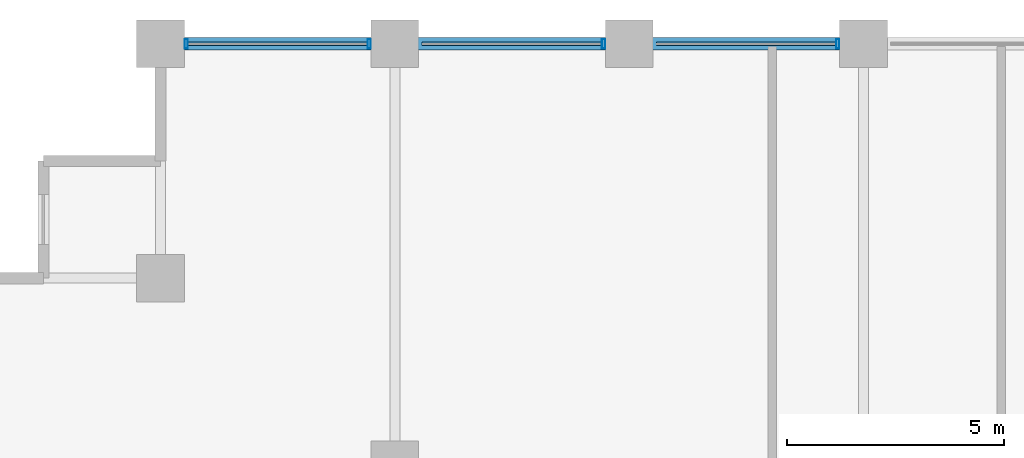
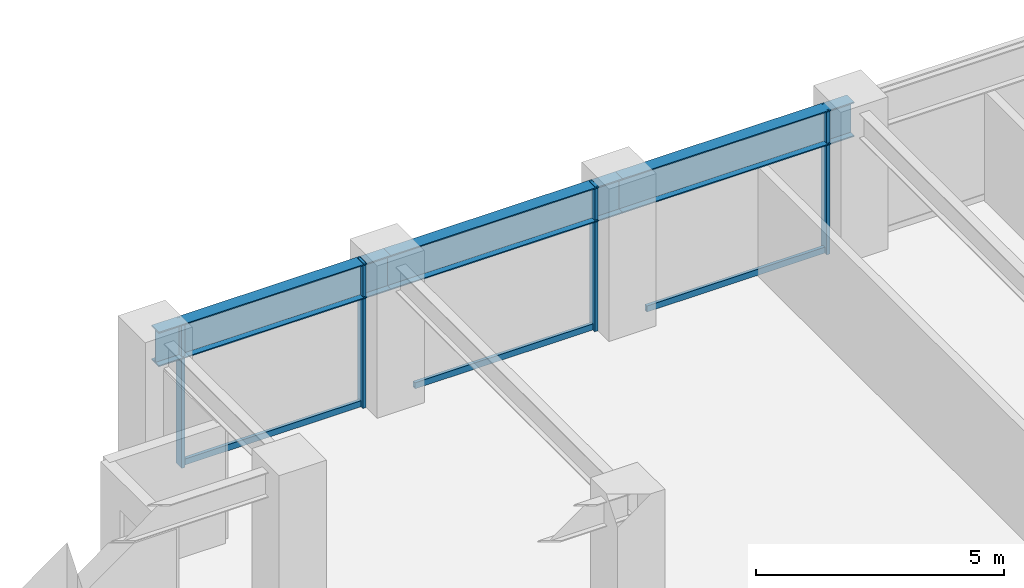
# One storey, part 12 of 25: 7 members, 3 beams, 1 element without a shape of its own.
"""IFC4 building model written with IfcOpenShell, lengths in metres."""

from ifc_helpers import new_model, si_unit, direction, frame, origin, origin_2d, place, context, subcontext, project, spatial, hollow_rectangle, i_section, extrude, material, layer, layer_set, material_profile, profile_set, type_object, element, aggregate, save


model = new_model("IFC4")

# Units and contexts
model_context = context("Model", 3, precision=1e-05, world=origin(), true_north=direction((0.0, 1.0)))
body_context = subcontext(model_context, "Body", "Model", "MODEL_VIEW")
ifc_project = project(units=[si_unit("LENGTHUNIT", "METRE"), si_unit("AREAUNIT", "SQUARE_METRE"), si_unit("VOLUMEUNIT", "CUBIC_METRE"), si_unit("PLANEANGLEUNIT", "RADIAN"), si_unit("MASSUNIT", "GRAM", prefix="KILO")], contexts=[model_context])

# Site, building, storey
site_placement = place(None, origin())
site = spatial("IfcSite", under=ifc_project, at=site_placement, CompositionType="ELEMENT")
building_placement = place(site_placement, origin())
building = spatial("IfcBuilding", under=site, at=building_placement, Name="Surkhivell Harbour Commons", CompositionType="ELEMENT")
storey_placement = place(building_placement, frame((0.0, 0.0, 117.0)))
storey = spatial("IfcBuildingStorey", under=building, at=storey_placement, Name="L30", CompositionType="ELEMENT", Elevation=117.0)

# Beams
ifc_material_1 = material(Name="Steel S460", Category="steel")
ifc_material_profile_1 = material_profile(ifc_material_1, i_section(OverallWidth=0.2939453125, OverallDepth=0.85107421875, WebThickness=0.01611328125, FlangeThickness=0.02685546875, at=origin_2d()), Name="UB838x292x226")
ifc_profile_set_1 = profile_set([ifc_material_profile_1], Name="Steel S460")
beam_type = type_object("IfcBeamType", Name="BM-SPN-838", PredefinedType="SPANDREL", material=ifc_profile_set_1)
beam_1_placement = place(storey_placement, frame((-27.0, 25.89990234375, 3.14453125), z_axis=(1.0, 0.0, 0.0), x_axis=(0.0, 1.0, 0.0)))
element("IfcBeam", 1, at=beam_1_placement, inside=storey, type_object=beam_type, Name="L30 Tube Spandrel (-27.0,25.9)", PredefinedType="SPANDREL", context=body_context, shape_type="SweptSolid", body=[
    extrude(i_section(OverallWidth=0.2939453125, OverallDepth=0.85107421875, WebThickness=0.01611328125, FlangeThickness=0.02685546875, at=origin_2d()), origin(), (0.0, 0.0, 1.0), 5.39990234375),
])
beam_2_placement = place(storey_placement, frame((-21.60009765625, 25.89990234375, 3.14453125), z_axis=(1.0, 0.0, 0.0), x_axis=(0.0, 1.0, 0.0)))
element("IfcBeam", 2, at=beam_2_placement, inside=storey, type_object=beam_type, Name="L30 Tube Spandrel (-21.6,25.9)", PredefinedType="SPANDREL", context=body_context, shape_type="SweptSolid", body=[
    extrude(i_section(OverallWidth=0.2939453125, OverallDepth=0.85107421875, WebThickness=0.01611328125, FlangeThickness=0.02685546875, at=origin_2d()), origin(), (0.0, 0.0, 1.0), 5.400146484375),
])
beam_3_placement = place(storey_placement, frame((-16.199951171875, 25.89990234375, 3.14453125), z_axis=(1.0, 0.0, 0.0), x_axis=(0.0, 1.0, 0.0)))
element("IfcBeam", 3, at=beam_3_placement, inside=storey, type_object=beam_type, Name="L30 Tube Spandrel (-16.2,25.9)", PredefinedType="SPANDREL", context=body_context, shape_type="SweptSolid", body=[
    extrude(i_section(OverallWidth=0.2939453125, OverallDepth=0.85107421875, WebThickness=0.01611328125, FlangeThickness=0.02685546875, at=origin_2d()), origin(), (0.0, 0.0, 1.0), 5.39990234375),
])

# Curtain wall, members
ifc_material_2 = material(Name="Anodised pale-metal aluminium and insulated glazing", Category="aluminium")
ifc_layer = layer(ifc_material_2, 0.205078125)
ifc_layer_set = layer_set([ifc_layer], Name="Anodised pale-metal aluminium and insulated glazing")
curtain_wall_type = type_object("IfcCurtainWallType", Name="CW-SYS-Z2", PredefinedType="NOTDEFINED", material=ifc_layer_set)
curtain_wall_placement = place(storey_placement, origin())
curtain_wall = element("IfcCurtainWall", 4, at=curtain_wall_placement, inside=storey, type_object=curtain_wall_type, Name="L30 Curtain Wall CW-L30-E07S2", PredefinedType="NOTDEFINED")
ifc_material_3 = material(Name="Anodised pale-metal aluminium alloy 6063-T6", Category="aluminium")
ifc_material_profile_2 = material_profile(ifc_material_3, hollow_rectangle(XDim=0.074951171875, YDim=0.219970703125, WallThickness=0.00390625, at=origin_2d()), Name="ALU-MULL-75x220")
ifc_profile_set_2 = profile_set([ifc_material_profile_2], Name="Anodised pale-metal aluminium alloy 6063-T6")
member_type_1 = type_object("IfcMemberType", Name="CWM-220", PredefinedType="MULLION", material=ifc_profile_set_2)
member_1_placement = place(storey_placement, frame((-11.389404296875, 25.89990234375, 0.0), z_axis=(0.0, 0.0, 1.0), x_axis=(-1.0, 0.0, 0.0)))
member_1 = element("IfcMember", 5, at=member_1_placement, type_object=member_type_1, Name="CW-Z2 mullion 2", PredefinedType="MULLION", context=body_context, shape_type="SweptSolid", body=[
    extrude(hollow_rectangle(XDim=0.074951171875, YDim=0.219970703125, WallThickness=0.00390625, at=origin_2d()), origin(), (0.0, 0.0, 1.0), 3.570068359375),
])
member_2_placement = place(storey_placement, frame((-16.78955078125, 25.89990234375, 0.0), z_axis=(0.0, 0.0, 1.0), x_axis=(-1.0, 0.0, 0.0)))
member_2 = element("IfcMember", 6, at=member_2_placement, type_object=member_type_1, Name="CW-Z2 mullion 3", PredefinedType="MULLION", context=body_context, shape_type="SweptSolid", body=[
    extrude(hollow_rectangle(XDim=0.074951171875, YDim=0.219970703125, WallThickness=0.00390625, at=origin_2d()), origin(), (0.0, 0.0, 1.0), 3.570068359375),
])
member_3_placement = place(storey_placement, frame((-22.189453125, 25.89990234375, 0.0), z_axis=(0.0, 0.0, 1.0), x_axis=(-1.0, 0.0, 0.0)))
member_3 = element("IfcMember", 7, at=member_3_placement, type_object=member_type_1, Name="CW-Z2 mullion 4", PredefinedType="MULLION", context=body_context, shape_type="SweptSolid", body=[
    extrude(hollow_rectangle(XDim=0.074951171875, YDim=0.219970703125, WallThickness=0.00390625, at=origin_2d()), origin(), (0.0, 0.0, 1.0), 3.570068359375),
])
member_4_placement = place(storey_placement, frame((-26.410400390625, 25.89990234375, 0.0), z_axis=(0.0, 0.0, 1.0), x_axis=(-1.0, 0.0, 0.0)))
member_4 = element("IfcMember", 8, at=member_4_placement, type_object=member_type_1, Name="CW-Z2 mullion 5", PredefinedType="MULLION", context=body_context, shape_type="SweptSolid", body=[
    extrude(hollow_rectangle(XDim=0.074951171875, YDim=0.219970703125, WallThickness=0.00390625, at=origin_2d()), origin(), (0.0, 0.0, 1.0), 3.570068359375),
])
ifc_material_profile_3 = material_profile(ifc_material_3, hollow_rectangle(XDim=0.074951171875, YDim=0.14990234375, WallThickness=0.00341796875, at=origin_2d()), Name="ALU-TRAN-75x150")
ifc_profile_set_3 = profile_set([ifc_material_profile_3], Name="Anodised pale-metal aluminium alloy 6063-T6")
member_type_2 = type_object("IfcMemberType", Name="CWT-150", PredefinedType="USERDEFINED", material=ifc_profile_set_3)
member_5_placement = place(storey_placement, frame((-11.427001953125, 25.89990234375, 0.074951171875), z_axis=(-1.0, 0.0, 0.0), x_axis=(0.0, -1.0, 0.0)))
member_5 = element("IfcMember", 9, at=member_5_placement, type_object=member_type_2, Name="CW-Z2 transom 2.1", ObjectType="TRANSOM", PredefinedType="USERDEFINED", context=body_context, shape_type="SweptSolid", body=[
    extrude(hollow_rectangle(XDim=0.074951171875, YDim=0.14990234375, WallThickness=0.00341796875, at=origin_2d()), origin(), (0.0, 0.0, 1.0), 4.14599609375),
])
member_6_placement = place(storey_placement, frame((-16.826904296875, 25.89990234375, 0.074951171875), z_axis=(-1.0, 0.0, 0.0), x_axis=(0.0, -1.0, 0.0)))
member_6 = element("IfcMember", 10, at=member_6_placement, type_object=member_type_2, Name="CW-Z2 transom 3.1", ObjectType="TRANSOM", PredefinedType="USERDEFINED", context=body_context, shape_type="SweptSolid", body=[
    extrude(hollow_rectangle(XDim=0.074951171875, YDim=0.14990234375, WallThickness=0.00341796875, at=origin_2d()), origin(), (0.0, 0.0, 1.0), 4.14599609375),
])
member_7_placement = place(storey_placement, frame((-22.22705078125, 25.89990234375, 0.074951171875), z_axis=(-1.0, 0.0, 0.0), x_axis=(0.0, -1.0, 0.0)))
member_7 = element("IfcMember", 11, at=member_7_placement, type_object=member_type_2, Name="CW-Z2 transom 4.1", ObjectType="TRANSOM", PredefinedType="USERDEFINED", context=body_context, shape_type="SweptSolid", body=[
    extrude(hollow_rectangle(XDim=0.074951171875, YDim=0.14990234375, WallThickness=0.00341796875, at=origin_2d()), origin(), (0.0, 0.0, 1.0), 4.14599609375),
])
aggregate(curtain_wall, [member_1, member_5, member_2, member_6, member_3, member_4, member_7])

save(model, "model.ifc")
